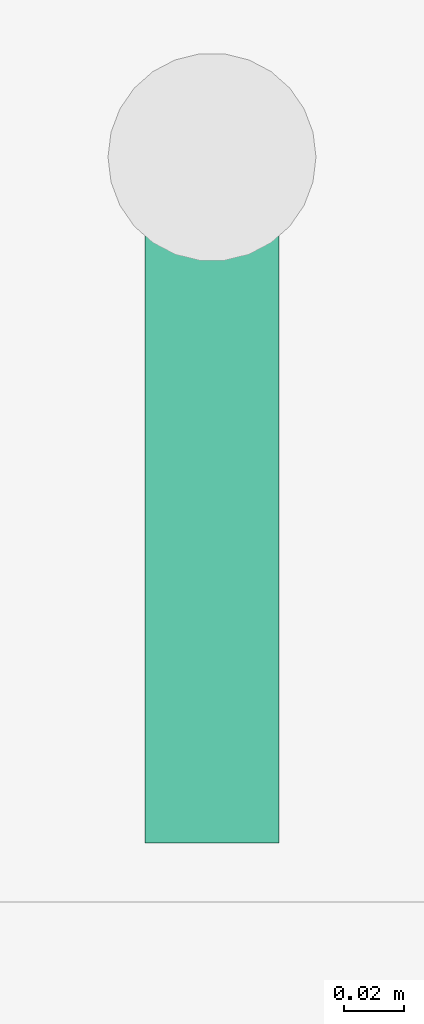
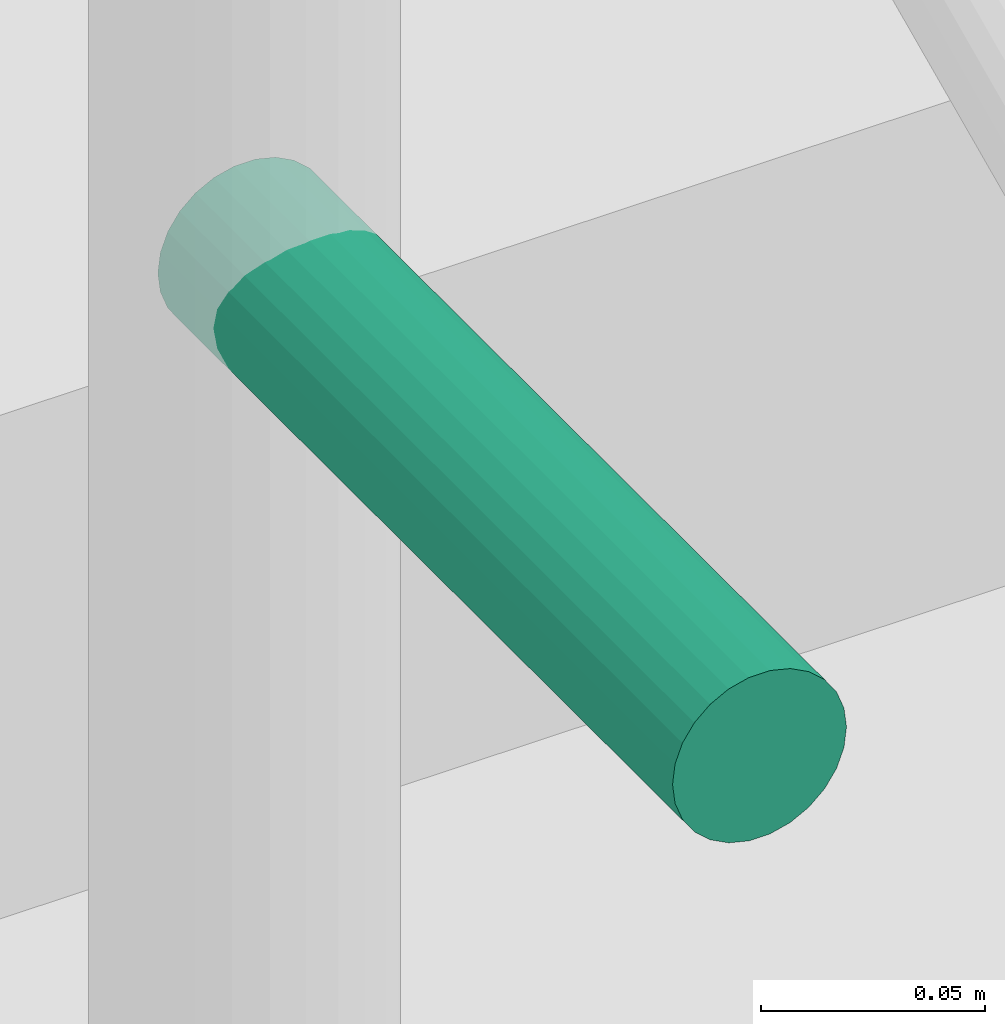
# One storey, part 32 of 33: 1 pipe fitting.
"""IFC4 building model written with IfcOpenShell, lengths in metres."""

from ifc_helpers import new_model, si_unit, direction, frame, origin, origin_2d, place, context, subcontext, project, spatial, circle, extrude, element, save


model = new_model("IFC4")

# Units and contexts
model_context = context("Model", 3, precision=1e-05, world=origin(), true_north=direction((0.0, 1.0)))
body_context = subcontext(model_context, "Body", "Model", "MODEL_VIEW")
ifc_project = project(units=[si_unit("LENGTHUNIT", "METRE"), si_unit("AREAUNIT", "SQUARE_METRE"), si_unit("VOLUMEUNIT", "CUBIC_METRE"), si_unit("PLANEANGLEUNIT", "RADIAN"), si_unit("MASSUNIT", "GRAM", prefix="KILO")], contexts=[model_context])

# Site, building, storey
site_placement = place(None, origin())
site = spatial("IfcSite", under=ifc_project, at=site_placement, CompositionType="ELEMENT")
building_placement = place(site_placement, origin())
building = spatial("IfcBuilding", under=site, at=building_placement, Name="Nzadi Deep Aquarium and Research Tower", CompositionType="ELEMENT")
storey_placement = place(building_placement, frame((0.0, 0.0, -5.5)))
storey = spatial("IfcBuildingStorey", under=building, at=storey_placement, Name="B1", CompositionType="ELEMENT", Elevation=-5.5)

# Pipe fitting
pipe_fitting_placement = place(storey_placement, frame((55.300048828125, 116.360107421875, 1.10009765625), z_axis=(0.0, -1.0, 0.0), x_axis=(1.0, 0.0, 0.0)))
element("IfcPipeFitting", 1, at=pipe_fitting_placement, inside=storey, Name="Dry riser outlet ST-Z3-E B1", PredefinedType="EXIT", context=body_context, shape_type="SweptSolid", body=[
    extrude(circle(Radius=0.0224609375, at=origin_2d()), origin(), (0.0, 0.0, 1.0), 0.230224609375),
])

save(model, "model.ifc")
